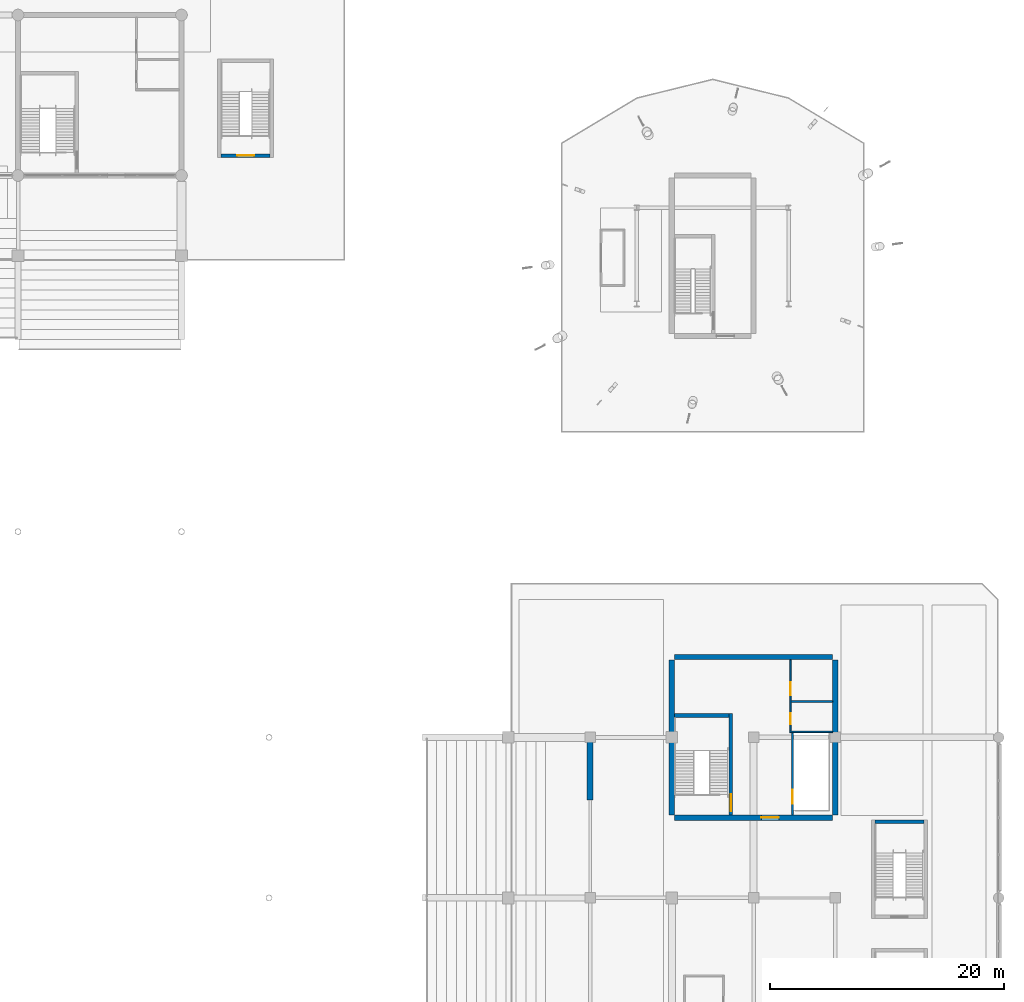
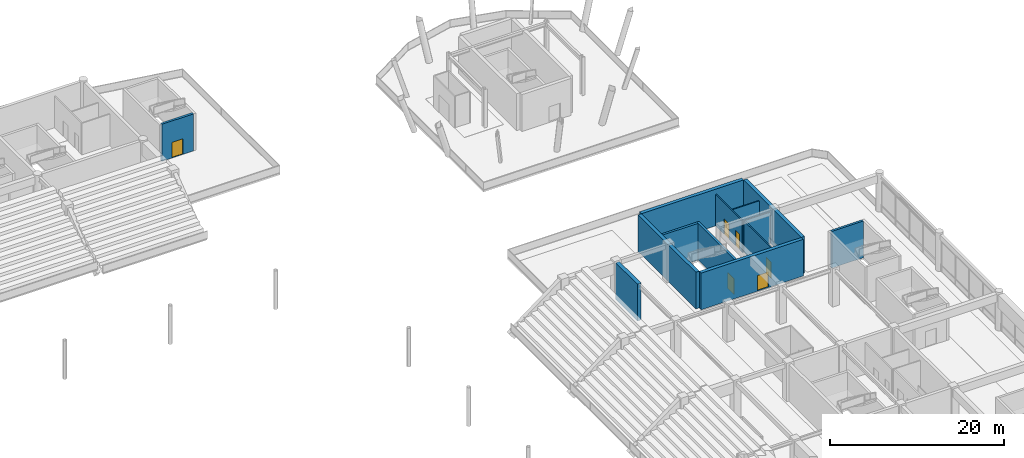
# One storey, part 98 of 117: 13 walls, 6 doors, 6 openings.
"""IFC4 building model written with IfcOpenShell, lengths in metres."""

from ifc_helpers import new_model, si_unit, direction, frame, frame_2d, origin, place, context, subcontext, project, spatial, rectangle, extrude, material, layer, layer_set, type_object, element, fill, save


model = new_model("IFC4")

# Units and contexts
model_context = context("Model", 3, precision=1e-05, world=origin(), true_north=direction((0.0, 1.0)))
body_context = subcontext(model_context, "Body", "Model", "MODEL_VIEW")
ifc_project = project(units=[si_unit("LENGTHUNIT", "METRE"), si_unit("AREAUNIT", "SQUARE_METRE"), si_unit("VOLUMEUNIT", "CUBIC_METRE"), si_unit("PLANEANGLEUNIT", "RADIAN"), si_unit("MASSUNIT", "GRAM", prefix="KILO")], contexts=[model_context])

# Site, building, storey
site_placement = place(None, origin())
site = spatial("IfcSite", under=ifc_project, at=site_placement, CompositionType="ELEMENT")
building_placement = place(site_placement, origin())
building = spatial("IfcBuilding", under=site, at=building_placement, Name="Linyun Crest Stadium", CompositionType="ELEMENT")
storey_placement = place(building_placement, frame((0.0, 0.0, 6.0)))
storey = spatial("IfcBuildingStorey", under=building, at=storey_placement, Name="L02", CompositionType="ELEMENT", Elevation=6.0)

# Walls
ifc_material_1 = material(Name="Concrete C50", Category="concrete")
ifc_layer_1 = layer(ifc_material_1, 0.449951171875)
ifc_layer_set_1 = layer_set([ifc_layer_1], Name="Concrete C50")
wall_type_1 = type_object("IfcWallType", Name="CW03", PredefinedType="SHEAR", material=ifc_layer_set_1)
for number, where, z_axis, x_axis, name in (
    (1, (70.0, 36.72509765625, 0.0), (0.0, 0.0, 1.0), (0.0, 1.0, 0.0), "Core shear wall CW03 CORE-E3 L02.1"),
    (2, (84.0, 36.72509765625, 0.0), (0.0, 0.0, 1.0), (0.0, 1.0, 0.0), "Core shear wall CW03 CORE-E3 L02.2"),
):
    element("IfcWall", number, at=place(storey_placement, frame(where, z_axis=z_axis, x_axis=x_axis)), inside=storey, type_object=wall_type_1, Name=name, PredefinedType="SHEAR", context=body_context, shape_type="SweptSolid", body=[
        extrude(rectangle(XDim=13.2998046875, YDim=0.449951171875, at=frame_2d((6.64990234375, 0.0))), origin(), (0.0, 0.0, 1.0), 5.14990234375),
    ])

# Wall, opening, door
wall_1_placement = place(storey_placement, frame((70.22509765625, 36.5, 0.0), z_axis=(0.0, 0.0, 1.0), x_axis=(1.0, 0.0, 0.0)))
wall_1 = element("IfcWall", 3, at=wall_1_placement, inside=storey, type_object=wall_type_1, Name="Core shear wall CW03 CORE-E3 L02.3", PredefinedType="SHEAR", context=body_context, shape_type="SweptSolid", body=[
    extrude(rectangle(XDim=13.5498046875, YDim=0.449951171875, at=frame_2d((6.77490234375, 0.0))), origin(), (0.0, 0.0, 1.0), 5.14990234375),
])
opening_1_placement = place(wall_1_placement, frame((7.452880859375, 0.0, 0.0)))
opening_1 = element("IfcOpeningElement", 4, at=opening_1_placement, cuts=wall_1, Name="Opening D-L02-236", PredefinedType="OPENING", context=body_context, shape_type="SweptSolid", body=[
    extrude(rectangle(XDim=1.5, YDim=2.199951171875, at=frame_2d((0.75, 1.10009765625))), frame((0.0, 0.23486328125, 0.0), z_axis=(0.0, -1.0, 0.0), x_axis=(1.0, 0.0, 0.0)), (0.0, 0.0, 1.0), 0.469970703125),
])
ifc_material_2 = material(Name="Galvanized steel Class A fire door", Category="steel")
ifc_layer_2 = layer(ifc_material_2, 0.054931640625)
ifc_layer_set_2 = layer_set([ifc_layer_2], Name="Galvanized steel Class A fire door")
door_type_1 = type_object("IfcDoorType", Name="FD01", OperationType="NOTDEFINED", PredefinedType="DOOR", material=ifc_layer_set_2)
door_1_placement = place(opening_1_placement, origin())
door_1 = element("IfcDoor", 5, at=door_1_placement, inside=storey, type_object=door_type_1, Name="Door D-L02-236", OperationType="SINGLE_SWING_RIGHT", OverallHeight=2.199951171875, OverallWidth=1.5, PredefinedType="DOOR", context=body_context, shape_type="SweptSolid", body=[
    extrude(rectangle(XDim=1.5, YDim=2.199951171875, at=frame_2d((0.75, 1.10009765625))), frame((0.0, 0.02490234375, 0.0), z_axis=(0.0, -1.0, 0.0), x_axis=(1.0, 0.0, 0.0)), (0.0, 0.0, 1.0), 0.050048828125),
])
fill(opening_1, door_1)

# Wall
wall_2_placement = place(storey_placement, frame((70.22509765625, 50.25, 0.0), z_axis=(0.0, 0.0, 1.0), x_axis=(1.0, 0.0, 0.0)))
element("IfcWall", 6, at=wall_2_placement, inside=storey, type_object=wall_type_1, Name="Core shear wall CW03 CORE-E3 L02.4", PredefinedType="SHEAR", context=body_context, shape_type="SweptSolid", body=[
    extrude(rectangle(XDim=13.5498046875, YDim=0.449951171875, at=frame_2d((6.77490234375, 0.0))), origin(), (0.0, 0.0, 1.0), 5.14990234375),
])

# Wall, opening, door
ifc_material_3 = material(Name="Autoclaved aerated concrete block fire partition", Category="concrete")
ifc_layer_3 = layer(ifc_material_3, 0.179931640625)
ifc_layer_set_3 = layer_set([ifc_layer_3], Name="Autoclaved aerated concrete block fire partition")
wall_type_2 = type_object("IfcWallType", Name="PW12", PredefinedType="PARTITIONING", material=ifc_layer_set_3)
wall_3_placement = place(storey_placement, frame((80.35009765625, 36.72509765625, 0.0), z_axis=(0.0, 0.0, 1.0), x_axis=(0.0, 1.0, 0.0)))
wall_3 = element("IfcWall", 7, at=wall_3_placement, inside=storey, type_object=wall_type_2, Name="Partition PW12 L02 85", PredefinedType="PARTITIONING", context=body_context, shape_type="SweptSolid", body=[
    extrude(rectangle(XDim=7.054931640625, YDim=0.179931640625, at=frame_2d((3.52734375, 0.0))), origin(), (0.0, 0.0, 1.0), 4.375),
])
opening_2_placement = place(wall_3_placement, frame((0.97509765625, 0.0, 0.0)))
opening_2 = element("IfcOpeningElement", 8, at=opening_2_placement, cuts=wall_3, Name="Opening LD081", PredefinedType="OPENING", context=body_context, shape_type="SweptSolid", body=[
    extrude(rectangle(XDim=1.199951171875, YDim=2.25, at=frame_2d((0.60009765625, 1.125))), frame((0.0, 0.099853515625, 0.0), z_axis=(0.0, -1.0, 0.0), x_axis=(1.0, 0.0, 0.0)), (0.0, 0.0, 1.0), 0.199951171875),
])
ifc_material_4 = material(Name="Brushed stainless sliding lift door")
ifc_layer_4 = layer(ifc_material_4, 0.050048828125)
ifc_layer_set_4 = layer_set([ifc_layer_4], Name="Brushed stainless sliding lift door")
door_type_2 = type_object("IfcDoorType", Name="LD02", OperationType="NOTDEFINED", PredefinedType="DOOR", material=ifc_layer_set_4)
door_2_placement = place(opening_2_placement, origin())
door_2 = element("IfcDoor", 9, at=door_2_placement, inside=storey, type_object=door_type_2, Name="Lift landing door LD081", OperationType="DOUBLE_DOOR_SLIDING", OverallHeight=2.25, OverallWidth=1.199951171875, PredefinedType="DOOR", context=body_context, shape_type="SweptSolid", body=[
    extrude(rectangle(XDim=1.199951171875, YDim=2.25, at=frame_2d((0.60009765625, 1.125))), frame((0.0, 0.02490234375, 0.0), z_axis=(0.0, -1.0, 0.0), x_axis=(1.0, 0.0, 0.0)), (0.0, 0.0, 1.0), 0.050048828125),
])
fill(opening_2, door_2)

# Wall, openings, doors
ifc_material_5 = material(Name="Moisture-resistant ceramic-tiled wet-room wall")
ifc_layer_5 = layer(ifc_material_5, 0.139892578125)
ifc_layer_set_5 = layer_set([ifc_layer_5], Name="Moisture-resistant ceramic-tiled wet-room wall")
wall_type_3 = type_object("IfcWallType", Name="PW15", PredefinedType="PARTITIONING", material=ifc_layer_set_5)
wall_4_placement = place(storey_placement, frame((80.14990234375, 43.919921875, 0.0), z_axis=(0.0, 0.0, 1.0), x_axis=(0.0, 1.0, 0.0)))
wall_4 = element("IfcWall", 10, at=wall_4_placement, inside=storey, type_object=wall_type_3, Name="Partition PW15 L02 86", PredefinedType="PARTITIONING", context=body_context, shape_type="SweptSolid", body=[
    extrude(rectangle(XDim=6.10498046875, YDim=0.139892578125, at=frame_2d((3.052490234375, 0.0))), origin(), (0.0, 0.0, 1.0), 4.419921875),
])
opening_3_placement = place(wall_4_placement, frame((0.580078125, 0.0, 0.0)))
opening_3 = element("IfcOpeningElement", 11, at=opening_3_placement, cuts=wall_4, Name="Opening D-L02-239", PredefinedType="OPENING", context=body_context, shape_type="SweptSolid", body=[
    extrude(rectangle(XDim=0.949951171875, YDim=2.14990234375, at=frame_2d((0.47509765625, 1.074951171875))), frame((0.0, 0.079833984375, 0.0), z_axis=(0.0, -1.0, 0.0), x_axis=(1.0, 0.0, 0.0)), (0.0, 0.0, 1.0), 0.159912109375),
])
opening_4_placement = place(wall_4_placement, frame((3.080078125, 0.0, 0.0)))
opening_4 = element("IfcOpeningElement", 12, at=opening_4_placement, cuts=wall_4, Name="Opening D-L02-240", PredefinedType="OPENING", context=body_context, shape_type="SweptSolid", body=[
    extrude(rectangle(XDim=1.10009765625, YDim=2.14990234375, at=frame_2d((0.550048828125, 1.074951171875))), frame((0.0, 0.079833984375, 0.0), z_axis=(0.0, -1.0, 0.0), x_axis=(1.0, 0.0, 0.0)), (0.0, 0.0, 1.0), 0.159912109375),
])
ifc_material_6 = material(Name="Moisture-resistant laminate leaf")
ifc_layer_6 = layer(ifc_material_6, 0.044921875)
ifc_layer_set_6 = layer_set([ifc_layer_6], Name="Moisture-resistant laminate leaf")
door_type_3 = type_object("IfcDoorType", Name="ID02", OperationType="NOTDEFINED", PredefinedType="DOOR", material=ifc_layer_set_6)
door_3_placement = place(opening_3_placement, origin())
door_3 = element("IfcDoor", 13, at=door_3_placement, inside=storey, type_object=door_type_3, Name="Door D-L02-239", OperationType="SINGLE_SWING_LEFT", OverallHeight=2.14990234375, OverallWidth=0.949951171875, PredefinedType="DOOR", context=body_context, shape_type="SweptSolid", body=[
    extrude(rectangle(XDim=0.949951171875, YDim=2.14990234375, at=frame_2d((0.47509765625, 1.074951171875))), frame((0.0, 0.02490234375, 0.0), z_axis=(0.0, -1.0, 0.0), x_axis=(1.0, 0.0, 0.0)), (0.0, 0.0, 1.0), 0.050048828125),
])
fill(opening_3, door_3)
ifc_material_7 = material(Name="Moisture-resistant laminate leaf")
ifc_layer_7 = layer(ifc_material_7, 0.044921875)
ifc_layer_set_7 = layer_set([ifc_layer_7], Name="Moisture-resistant laminate leaf")
door_type_4 = type_object("IfcDoorType", Name="ID03", OperationType="NOTDEFINED", PredefinedType="DOOR", material=ifc_layer_set_7)
door_4_placement = place(opening_4_placement, origin())
door_4 = element("IfcDoor", 14, at=door_4_placement, inside=storey, type_object=door_type_4, Name="Door D-L02-240", OperationType="SINGLE_SWING_RIGHT", OverallHeight=2.14990234375, OverallWidth=1.10009765625, PredefinedType="DOOR", context=body_context, shape_type="SweptSolid", body=[
    extrude(rectangle(XDim=1.10009765625, YDim=2.14990234375, at=frame_2d((0.550048828125, 1.074951171875))), frame((0.0, 0.02490234375, 0.0), z_axis=(0.0, -1.0, 0.0), x_axis=(1.0, 0.0, 0.0)), (0.0, 0.0, 1.0), 0.050048828125),
])
fill(opening_4, door_4)

# Walls
wall_5_placement = place(storey_placement, frame((80.080078125, 43.85009765625, 0.0), z_axis=(0.0, 0.0, 1.0), x_axis=(1.0, 0.0, 0.0)))
element("IfcWall", 15, at=wall_5_placement, inside=storey, type_object=wall_type_3, Name="Enclosure partition PW15 L02 71", PredefinedType="PARTITIONING", context=body_context, shape_type="SweptSolid", body=[
    extrude(rectangle(XDim=3.69482421875, YDim=0.139892578125, at=frame_2d((1.847412109375, 0.0))), origin(), (0.0, 0.0, 1.0), 4.419921875),
])
wall_6_placement = place(storey_placement, frame((80.219970703125, 46.449951171875, 0.0), z_axis=(0.0, 0.0, 1.0), x_axis=(1.0, 0.0, 0.0)))
element("IfcWall", 16, at=wall_6_placement, inside=storey, type_object=wall_type_3, Name="Enclosure partition PW15 L02 72", PredefinedType="PARTITIONING", context=body_context, shape_type="SweptSolid", body=[
    extrude(rectangle(XDim=3.554931640625, YDim=0.139892578125, at=frame_2d((1.77734375, 0.0))), origin(), (0.0, 0.0, 1.0), 4.419921875),
])

# Wall, opening, door
ifc_material_8 = material(Name="Concrete C50", Category="concrete")
ifc_layer_8 = layer(ifc_material_8, 0.300048828125)
ifc_layer_set_8 = layer_set([ifc_layer_8], Name="Concrete C50")
wall_type_4 = type_object("IfcWallType", Name="SW01", PredefinedType="SHEAR", material=ifc_layer_set_8)
wall_7_placement = place(storey_placement, frame((75.050048828125, 36.72509765625, 0.0), z_axis=(0.0, 0.0, 1.0), x_axis=(0.0, 1.0, 0.0)))
wall_7 = element("IfcWall", 17, at=wall_7_placement, inside=storey, type_object=wall_type_4, Name="Core stair east bearing wall SW01 6 L02", PredefinedType="SHEAR", context=body_context, shape_type="SweptSolid", body=[
    extrude(rectangle(XDim=8.6748046875, YDim=0.300048828125, at=frame_2d((4.33740234375, 0.0))), origin(), (0.0, 0.0, 1.0), 5.14990234375),
])
opening_5_placement = place(wall_7_placement, frame((0.344970703125, 0.0, 0.0)))
opening_5 = element("IfcOpeningElement", 18, at=opening_5_placement, cuts=wall_7, Name="Opening D-L02-237", PredefinedType="OPENING", context=body_context, shape_type="SweptSolid", body=[
    extrude(rectangle(XDim=1.449951171875, YDim=2.199951171875, at=frame_2d((0.72509765625, 1.10009765625))), frame((0.0, 0.159912109375, 0.0), z_axis=(0.0, -1.0, 0.0), x_axis=(1.0, 0.0, 0.0)), (0.0, 0.0, 1.0), 0.320068359375),
])
ifc_material_9 = material(Name="Galvanized steel Class A fire door", Category="steel")
ifc_layer_9 = layer(ifc_material_9, 0.054931640625)
ifc_layer_set_9 = layer_set([ifc_layer_9], Name="Galvanized steel Class A fire door")
door_type_5 = type_object("IfcDoorType", Name="FD02", OperationType="NOTDEFINED", PredefinedType="DOOR", material=ifc_layer_set_9)
door_5_placement = place(opening_5_placement, origin())
door_5 = element("IfcDoor", 19, at=door_5_placement, inside=storey, type_object=door_type_5, Name="Door D-L02-237", OperationType="SINGLE_SWING_LEFT", OverallHeight=2.199951171875, OverallWidth=1.449951171875, PredefinedType="DOOR", context=body_context, shape_type="SweptSolid", body=[
    extrude(rectangle(XDim=1.449951171875, YDim=2.199951171875, at=frame_2d((0.72509765625, 1.10009765625))), frame((0.0, 0.02490234375, 0.0), z_axis=(0.0, -1.0, 0.0), x_axis=(1.0, 0.0, 0.0)), (0.0, 0.0, 1.0), 0.050048828125),
])
fill(opening_5, door_5)

# Walls
wall_8_placement = place(storey_placement, frame((70.22509765625, 45.25, 0.0), z_axis=(0.0, 0.0, 1.0), x_axis=(1.0, 0.0, 0.0)))
element("IfcWall", 20, at=wall_8_placement, inside=storey, type_object=wall_type_4, Name="Core stair bearing wall SW01 6 L02", PredefinedType="SHEAR", context=body_context, shape_type="SweptSolid", body=[
    extrude(rectangle(XDim=4.6748046875, YDim=0.300048828125, at=frame_2d((2.33740234375, 0.0))), origin(), (0.0, 0.0, 1.0), 5.14990234375),
])
wall_9_placement = place(storey_placement, frame((87.39990234375, 36.14990234375, 0.0), z_axis=(0.0, 0.0, 1.0), x_axis=(1.0, 0.0, 0.0)))
element("IfcWall", 21, at=wall_9_placement, inside=storey, type_object=wall_type_4, Name="Stair shaft wall SW01 STR-22 L02 N", PredefinedType="SHEAR", context=body_context, shape_type="SweptSolid", body=[
    extrude(rectangle(XDim=4.2001953125, YDim=0.300048828125, at=frame_2d((2.10009765625, 0.0))), origin(), (0.0, 0.0, 1.0), 5.14990234375),
])

# Wall, opening, door
wall_10_placement = place(storey_placement, frame((31.39990234375, 93.199951171875, 0.0), z_axis=(0.0, 0.0, 1.0), x_axis=(1.0, 0.0, 0.0)))
wall_10 = element("IfcWall", 22, at=wall_10_placement, inside=storey, type_object=wall_type_4, Name="Stair shaft wall SW01 STR-26 L02 S", PredefinedType="SHEAR", context=body_context, shape_type="SweptSolid", body=[
    extrude(rectangle(XDim=4.2001953125, YDim=0.300048828125, at=frame_2d((2.10009765625, 0.0))), origin(), (0.0, 0.0, 1.0), 5.199951171875),
])
opening_6_placement = place(wall_10_placement, frame((1.375, 0.0, 0.0)))
opening_6 = element("IfcOpeningElement", 23, at=opening_6_placement, cuts=wall_10, Name="Opening D-L02-612", PredefinedType="OPENING", context=body_context, shape_type="SweptSolid", body=[
    extrude(rectangle(XDim=1.449951171875, YDim=2.199951171875, at=frame_2d((0.72509765625, 1.10009765625))), frame((0.0, 0.159912109375, 0.0), z_axis=(0.0, -1.0, 0.0), x_axis=(1.0, 0.0, 0.0)), (0.0, 0.0, 1.0), 0.320068359375),
])
door_6_placement = place(opening_6_placement, origin())
door_6 = element("IfcDoor", 24, at=door_6_placement, inside=storey, type_object=door_type_5, Name="Door D-L02-612", OperationType="SINGLE_SWING_RIGHT", OverallHeight=2.199951171875, OverallWidth=1.449951171875, PredefinedType="DOOR", context=body_context, shape_type="SweptSolid", body=[
    extrude(rectangle(XDim=1.449951171875, YDim=2.199951171875, at=frame_2d((0.72509765625, 1.10009765625))), frame((0.0, 0.02490234375, 0.0), z_axis=(0.0, -1.0, 0.0), x_axis=(1.0, 0.0, 0.0)), (0.0, 0.0, 1.0), 0.050048828125),
])
fill(opening_6, door_6)

# Wall
ifc_material_10 = material(Name="Concrete C50", Category="concrete")
ifc_layer_10 = layer(ifc_material_10, 0.5)
ifc_layer_set_10 = layer_set([ifc_layer_10], Name="Concrete C50")
wall_type_5 = type_object("IfcWallType", Name="SW03", PredefinedType="SHEAR", material=ifc_layer_set_10)
wall_11_placement = place(storey_placement, frame((63.0, 38.0, 0.0), z_axis=(0.0, 0.0, 1.0), x_axis=(0.0, 1.0, 0.0)))
element("IfcWall", 25, at=wall_11_placement, inside=storey, type_object=wall_type_5, Name="Shear wall SW03 L02 315", PredefinedType="SHEAR", context=body_context, shape_type="SweptSolid", body=[
    extrude(rectangle(XDim=5.0, YDim=0.5, at=frame_2d((2.5, 0.0))), origin(), (0.0, 0.0, 1.0), 5.14990234375),
])

save(model, "model.ifc")
